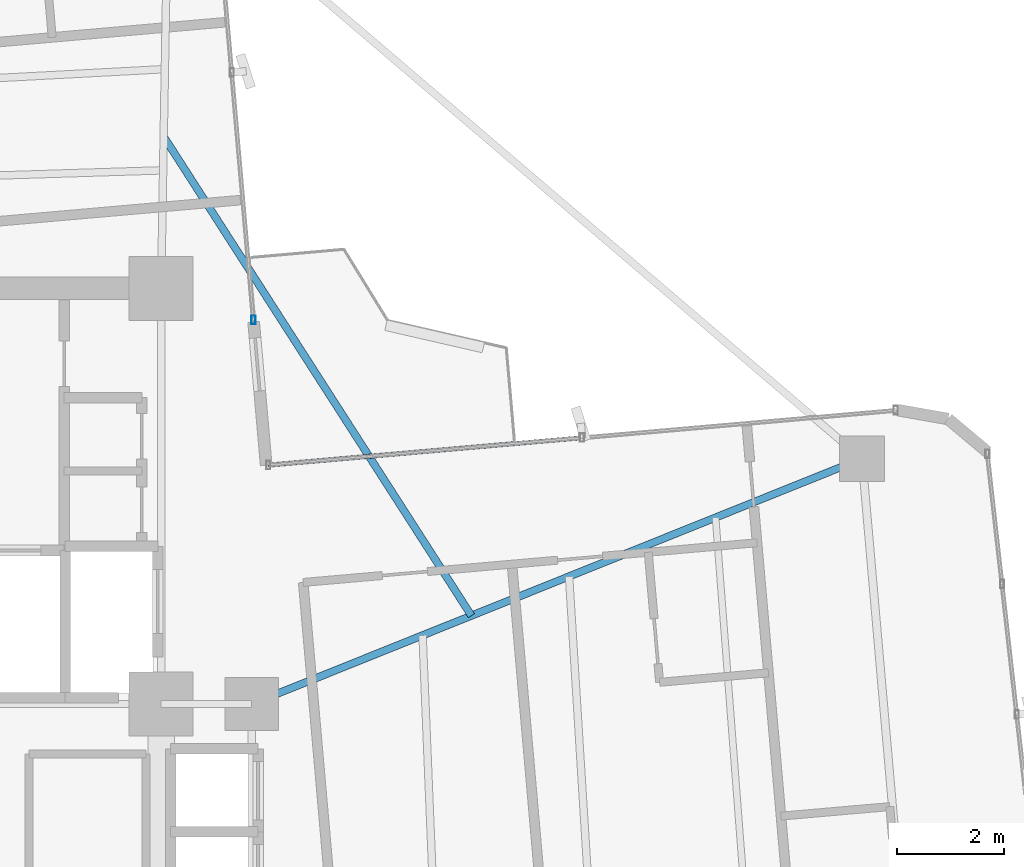
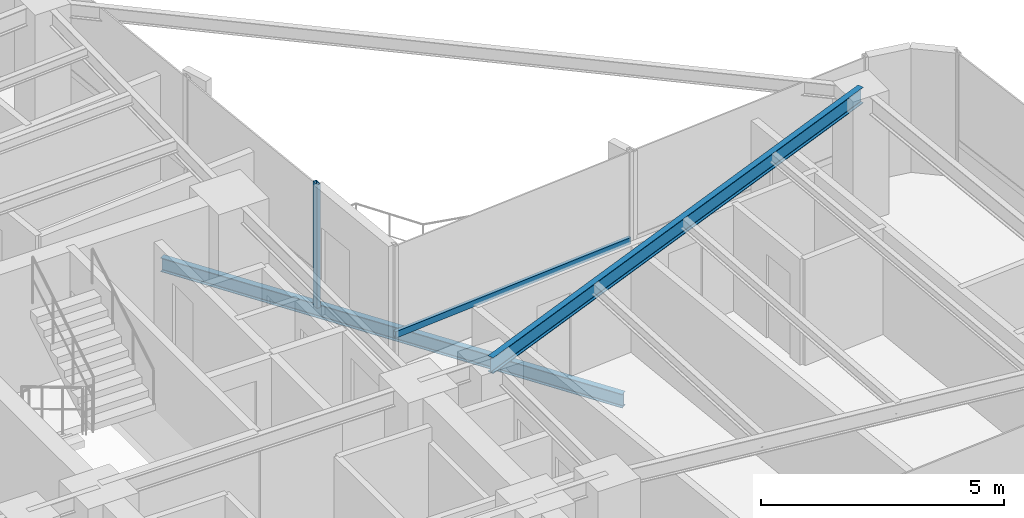
# One storey, part 12 of 24: 2 beams, 2 members, 2 elements without a shape of their own.
"""IFC4 building model written with IfcOpenShell, lengths in metres."""

from ifc_helpers import new_model, si_unit, direction, frame, origin, origin_2d, place, context, subcontext, project, spatial, hollow_rectangle, i_section, extrude, source, transform, mapped, material, material_profile, profile_set, type_object, element, aggregate, save


model = new_model("IFC4")

# Units and contexts
model_context = context("Model", 3, precision=1e-05, world=origin(), true_north=direction((0.0, 1.0)))
body_context = subcontext(model_context, "Body", "Model", "MODEL_VIEW")
ifc_project = project(units=[si_unit("LENGTHUNIT", "METRE"), si_unit("AREAUNIT", "SQUARE_METRE"), si_unit("VOLUMEUNIT", "CUBIC_METRE"), si_unit("PLANEANGLEUNIT", "RADIAN"), si_unit("MASSUNIT", "GRAM", prefix="KILO")], contexts=[model_context])

# Site, building, storey
site_placement = place(None, origin())
site = spatial("IfcSite", under=ifc_project, at=site_placement, CompositionType="ELEMENT")
building_placement = place(site_placement, origin())
building = spatial("IfcBuilding", under=site, at=building_placement, Name="Sahyath Konkavel Grand Hotel", CompositionType="ELEMENT")
storey_placement = place(building_placement, frame((0.0, 0.0, 153.949951171875)))
storey = spatial("IfcBuildingStorey", under=building, at=storey_placement, Name="L42", CompositionType="ELEMENT", Elevation=153.949951171875)

# Beam
ifc_material_1 = material(Name="Steel E350", Category="steel")
ifc_material_profile_1 = material_profile(ifc_material_1, i_section(OverallWidth=0.139892578125, OverallDepth=0.39990234375, WebThickness=0.0087890625, FlangeThickness=0.01611328125, FilletRadius=0.013916015625, at=origin_2d()), Name="ISMB 400")
ifc_profile_set_1 = profile_set([ifc_material_profile_1], Name="Steel E350")
beam_type_1 = type_object("IfcBeamType", Name="BM-ISMB400", PredefinedType="BEAM", material=ifc_profile_set_1)
shared_shape_1 = source(origin(), body_context, "Body", "SweptSolid", [
    extrude(i_section(OverallWidth=0.139892578125, OverallDepth=0.39990234375, WebThickness=0.0087890625, FlangeThickness=0.01611328125, FilletRadius=0.013916015625, at=origin_2d()), origin(), (0.0, 0.0, 1.0), 12.344970703125),
])
beam_1_placement = place(storey_placement, frame((5.5, 2.39990234375, 2.91015625), z_axis=(0.927837014101, 0.372985891507, 0.0), x_axis=(-0.372985891507, 0.927837014101, 0.0)))
element("IfcBeam", 1, at=beam_1_placement, inside=storey, type_object=beam_type_1, Name="L42 Cruciform Radial Girder EB", PredefinedType="BEAM", context=body_context, shape_type="MappedRepresentation", body=[
    mapped(shared_shape_1, transform((0.0, 0.0, 0.0), scale=1.0)),
])

# Curtain wall, member
ifc_material_2 = material(Name="Anodised Bronze Aluminium & Low-E Glazing", Category="aluminium")
curtain_wall_type = type_object("IfcCurtainWallType", Name="CW-ZONE3", PredefinedType="NOTDEFINED", material=ifc_material_2)
curtain_wall_1_placement = place(storey_placement, origin())
curtain_wall_1 = element("IfcCurtainWall", 2, at=curtain_wall_1_placement, inside=storey, type_object=curtain_wall_type, Name="L42 Unitised Curtain Wall F8", PredefinedType="NOTDEFINED")
ifc_material_3 = material(Name="Anodised Bronze Aluminium", Category="aluminium")
ifc_material_profile_2 = material_profile(ifc_material_3, hollow_rectangle(XDim=0.080078125, YDim=0.159912109375, WallThickness=0.006103515625, at=origin_2d()), Name="RHS 160x80x6")
ifc_profile_set_2 = profile_set([ifc_material_profile_2], Name="Anodised Bronze Aluminium")
member_type_1 = type_object("IfcMemberType", Name="CW-MUL-160", PredefinedType="MULLION", material=ifc_profile_set_2)
shared_shape_2 = source(origin(), body_context, "Body", "SweptSolid", [
    extrude(hollow_rectangle(XDim=0.080078125, YDim=0.159912109375, WallThickness=0.006103515625, at=origin_2d()), origin(), (0.0, 0.0, 1.0), 3.110107421875),
])
member_1_placement = place(storey_placement, frame((5.53369140625, 9.60888671875, 0.0), z_axis=(0.0, 0.0, 1.0), x_axis=(1.0, 0.0, 0.0)))
member_1 = element("IfcMember", 3, at=member_1_placement, type_object=member_type_1, Name="L42 Curtain Wall Mullion F8-0", PredefinedType="MULLION", context=body_context, shape_type="MappedRepresentation", body=[
    mapped(shared_shape_2, transform((0.0, 0.0, 0.0), scale=1.0)),
])
aggregate(curtain_wall_1, [member_1])

curtain_wall_2_placement = place(storey_placement, origin())
curtain_wall_2 = element("IfcCurtainWall", 4, at=curtain_wall_2_placement, inside=storey, type_object=curtain_wall_type, Name="L42 Unitised Curtain Wall F7", PredefinedType="NOTDEFINED")
ifc_material_profile_3 = material_profile(ifc_material_3, hollow_rectangle(XDim=0.080078125, YDim=0.159912109375, WallThickness=0.006103515625, at=origin_2d()), Name="RHS 160x80x6")
ifc_profile_set_3 = profile_set([ifc_material_profile_3], Name="Anodised Bronze Aluminium")
member_type_2 = type_object("IfcMemberType", Name="CW-TRN-160", PredefinedType="USERDEFINED", material=ifc_profile_set_3)
shared_shape_3 = source(origin(), body_context, "Body", "SweptSolid", [
    extrude(hollow_rectangle(XDim=0.080078125, YDim=0.159912109375, WallThickness=0.006103515625, at=origin_2d()), origin(), (0.0, 0.0, 1.0), 5.909912109375),
])
member_2_placement = place(storey_placement, frame((11.69970703125, 7.39794921875, 0.85009765625), z_axis=(-0.996193941691, -0.087164388014, 0.0), x_axis=(0.087164388014, -0.996193941691, 0.0)))
member_2 = element("IfcMember", 5, at=member_2_placement, type_object=member_type_2, Name="L42 Curtain Wall Transom F7-1-spandrel", ObjectType="TRANSOM", PredefinedType="USERDEFINED", context=body_context, shape_type="MappedRepresentation", body=[
    mapped(shared_shape_3, transform((0.0, 0.0, 0.0), scale=1.0)),
])
aggregate(curtain_wall_2, [member_2])

# Beam
ifc_material_profile_4 = material_profile(ifc_material_1, i_section(OverallWidth=0.139892578125, OverallDepth=0.35009765625, WebThickness=0.008056640625, FlangeThickness=0.01416015625, FilletRadius=0.013916015625, at=origin_2d()), Name="ISMB 350")
ifc_profile_set_4 = profile_set([ifc_material_profile_4], Name="Steel E350")
beam_type_2 = type_object("IfcBeamType", Name="BM-BALC-CANT", PredefinedType="BEAM", material=ifc_profile_set_4)
shared_shape_4 = source(origin(), body_context, "Body", "SweptSolid", [
    extrude(i_section(OverallWidth=0.139892578125, OverallDepth=0.35009765625, WebThickness=0.008056640625, FlangeThickness=0.01416015625, FilletRadius=0.013916015625, at=origin_2d()), origin(), (0.0, 0.0, 1.0), 10.685302734375),
])
beam_2_placement = place(storey_placement, frame((9.62353515625, 4.0576171875, -0.4150390625), z_axis=(-0.540404181048, 0.841405562797, 0.0), x_axis=(-0.841405562797, -0.540404181048, 0.0)))
element("IfcBeam", 6, at=beam_2_placement, inside=storey, type_object=beam_type_2, Name="L42 Balcony Cantilever Support Beam NE", PredefinedType="BEAM", context=body_context, shape_type="MappedRepresentation", body=[
    mapped(shared_shape_4, transform((0.0, 0.0, 0.0), scale=1.0)),
])

save(model, "model.ifc")
